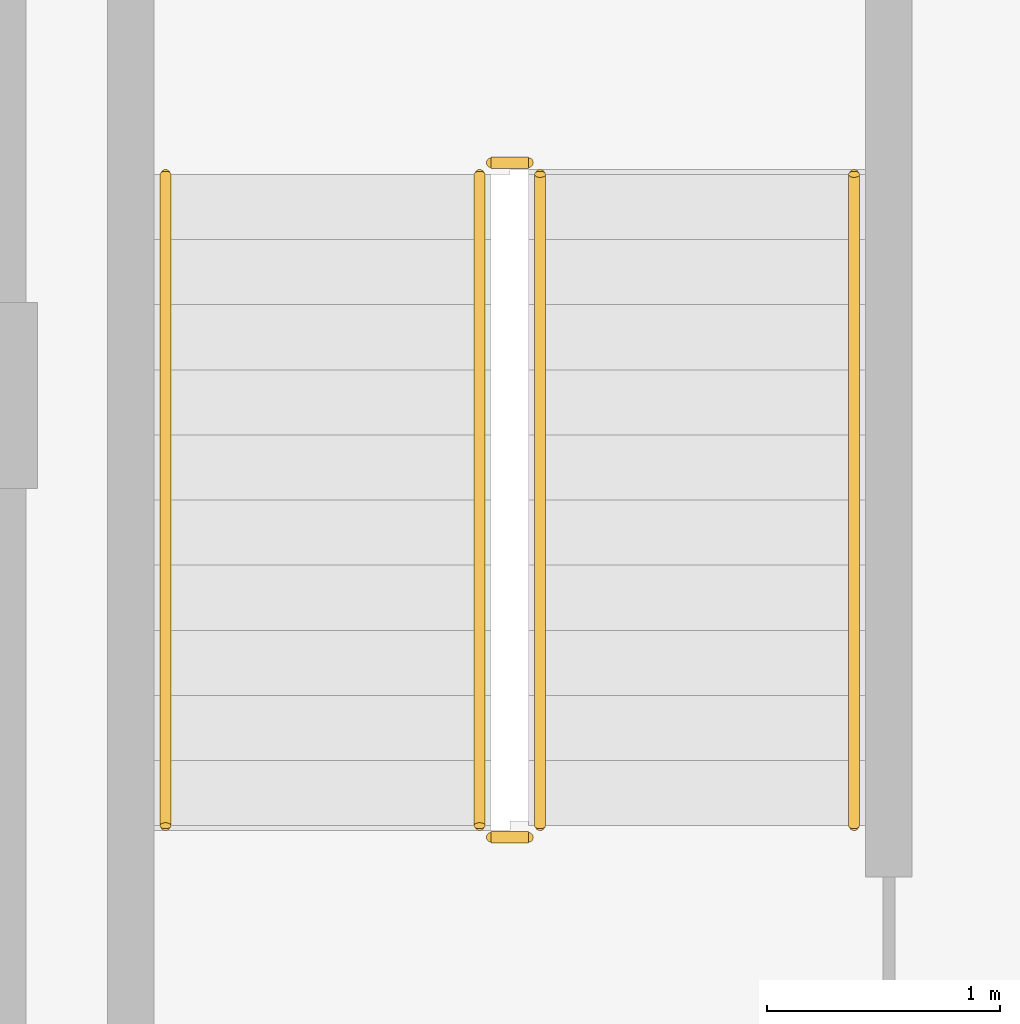
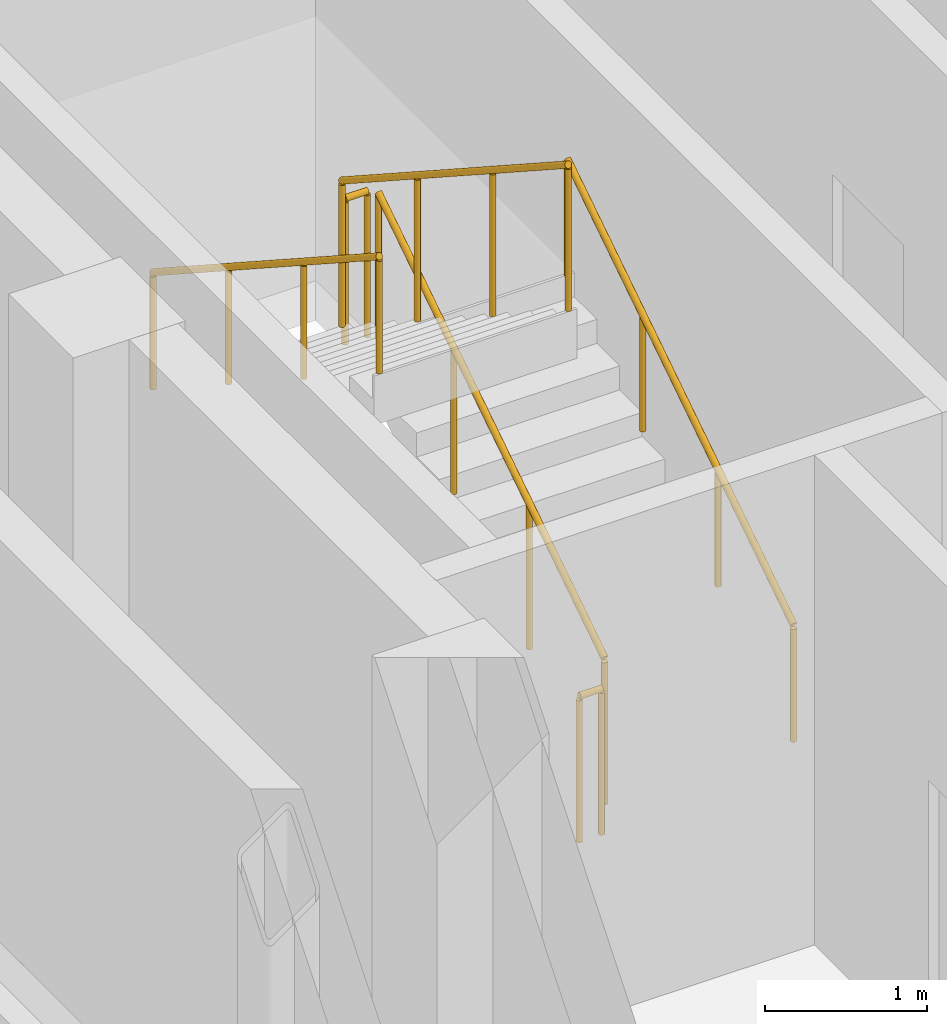
# One storey, part 8 of 10: 6 railings.
"""IFC4 building model written with IfcOpenShell, lengths in metres."""

from ifc_helpers import new_model, si_unit, direction, frame, origin, origin_2d, place, context, subcontext, project, spatial, circle, extrude, material, type_object, element, save


model = new_model("IFC4")

# Units and contexts
model_context = context("Model", 3, precision=1e-05, world=origin(), true_north=direction((0.0, 1.0)))
body_context = subcontext(model_context, "Body", "Model", "MODEL_VIEW")
ifc_project = project(units=[si_unit("LENGTHUNIT", "METRE"), si_unit("AREAUNIT", "SQUARE_METRE"), si_unit("VOLUMEUNIT", "CUBIC_METRE"), si_unit("PLANEANGLEUNIT", "RADIAN"), si_unit("MASSUNIT", "GRAM", prefix="KILO")], contexts=[model_context])

# Site, building, storey
site_placement = place(None, origin())
site = spatial("IfcSite", under=ifc_project, at=site_placement, CompositionType="ELEMENT")
building_placement = place(site_placement, origin())
building = spatial("IfcBuilding", under=site, at=building_placement, Name="Nuvemarco Arch Tower", CompositionType="ELEMENT")
storey_placement = place(building_placement, frame((0.0, 0.0, 299.14990234375)))
storey = spatial("IfcBuildingStorey", under=building, at=storey_placement, Name="L79", CompositionType="ELEMENT", Elevation=299.14990234375)

# Railings
ifc_material_1 = material(Name="Brushed stainless steel handrail", Category="steel")
railing_type_1 = type_object("IfcRailingType", Name="RL-HANDRAIL-900", PredefinedType="HANDRAIL", material=ifc_material_1)
railing_1_placement = place(storey_placement, frame((-13.590087890625, 2.64990234375, 0.181884765625)))
element("IfcRailing", 1, at=railing_1_placement, inside=storey, type_object=railing_type_1, Name="L79 ST-1 stair handrail 1", PredefinedType="HANDRAIL", context=body_context, shape_type="SweptSolid", body=[
    extrude(circle(Radius=0.02392578125, at=origin_2d()), frame((0.0, 0.0, 0.8759765625), z_axis=(0.0, 0.838705829183, 0.544584733623), x_axis=(-1.0, 0.0, 0.0)), (0.0, 0.0, 1.0), 3.338623046875),
    extrude(circle(Radius=0.02099609375, at=origin_2d()), origin(), (0.0, 0.0, 1.0), 0.851806640625),
    extrude(circle(Radius=0.02099609375, at=origin_2d()), frame((0.0, 0.933349609375, 0.60595703125)), (0.0, 0.0, 1.0), 0.851806640625),
    extrude(circle(Radius=0.02099609375, at=origin_2d()), frame((0.0, 1.86669921875, 1.212158203125)), (0.0, 0.0, 1.0), 0.851806640625),
    extrude(circle(Radius=0.02099609375, at=origin_2d()), frame((0.0, 2.800048828125, 1.818115234375)), (0.0, 0.0, 1.0), 0.851806640625),
])
railing_2_placement = place(storey_placement, frame((-16.550048828125, 5.449951171875, 2.181884765625)))
element("IfcRailing", 2, at=railing_2_placement, inside=storey, type_object=railing_type_1, Name="L79 ST-1 stair handrail 2", PredefinedType="HANDRAIL", context=body_context, shape_type="SweptSolid", body=[
    extrude(circle(Radius=0.02392578125, at=origin_2d()), frame((0.0, 0.0, 0.8759765625), z_axis=(0.0, -0.838705829183, 0.544584733623), x_axis=(1.0, 0.0, 0.0)), (0.0, 0.0, 1.0), 3.338623046875),
    extrude(circle(Radius=0.02099609375, at=origin_2d()), origin(), (0.0, 0.0, 1.0), 0.851806640625),
    extrude(circle(Radius=0.02099609375, at=origin_2d()), frame((0.0, -0.933349609375, 0.60595703125)), (0.0, 0.0, 1.0), 0.851806640625),
    extrude(circle(Radius=0.02099609375, at=origin_2d()), frame((0.0, -1.86669921875, 1.212158203125)), (0.0, 0.0, 1.0), 0.851806640625),
    extrude(circle(Radius=0.02099609375, at=origin_2d()), frame((0.0, -2.800048828125, 1.818115234375)), (0.0, 0.0, 1.0), 0.851806640625),
])
ifc_material_2 = material(Name="Painted balustrade steel S355", Category="steel")
railing_type_2 = type_object("IfcRailingType", Name="RL-STAIR-GUARD", PredefinedType="GUARDRAIL", material=ifc_material_2)
railing_3_placement = place(storey_placement, frame((-14.93994140625, 2.64990234375, 0.181884765625)))
element("IfcRailing", 3, at=railing_3_placement, inside=storey, type_object=railing_type_2, Name="L79 ST-1 stair guard 1", PredefinedType="GUARDRAIL", context=body_context, shape_type="SweptSolid", body=[
    extrude(circle(Radius=0.02392578125, at=origin_2d()), frame((0.0, 0.0, 1.09619140625), z_axis=(0.0, 0.838705829183, 0.544584733623), x_axis=(-1.0, 0.0, 0.0)), (0.0, 0.0, 1.0), 3.338623046875),
    extrude(circle(Radius=0.02099609375, at=origin_2d()), origin(), (0.0, 0.0, 1.0), 1.072021484375),
    extrude(circle(Radius=0.02099609375, at=origin_2d()), frame((0.0, 0.933349609375, 0.60595703125)), (0.0, 0.0, 1.0), 1.072021484375),
    extrude(circle(Radius=0.02099609375, at=origin_2d()), frame((0.0, 1.86669921875, 1.212158203125)), (0.0, 0.0, 1.0), 1.072021484375),
    extrude(circle(Radius=0.02099609375, at=origin_2d()), frame((0.0, 2.800048828125, 1.818115234375)), (0.0, 0.0, 1.0), 1.072021484375),
])
railing_4_placement = place(storey_placement, frame((-14.989990234375, 5.5, 2.0)))
element("IfcRailing", 4, at=railing_4_placement, inside=storey, type_object=railing_type_2, Name="L79 ST-1 stair guard 2", PredefinedType="GUARDRAIL", context=body_context, shape_type="SweptSolid", body=[
    extrude(circle(Radius=0.02392578125, at=origin_2d()), frame((0.0, 0.0, 1.09619140625), z_axis=(-1.0, 0.0, 0.0), x_axis=(0.0, -1.0, 0.0)), (0.0, 0.0, 1.0), 0.159912109375),
    extrude(circle(Radius=0.02099609375, at=origin_2d()), origin(), (0.0, 0.0, 1.0), 1.072021484375),
    extrude(circle(Radius=0.02099609375, at=origin_2d()), frame((-0.159912109375, 0.0, 0.0)), (0.0, 0.0, 1.0), 1.072021484375),
])
railing_5_placement = place(storey_placement, frame((-15.199951171875, 5.449951171875, 2.181884765625)))
element("IfcRailing", 5, at=railing_5_placement, inside=storey, type_object=railing_type_2, Name="L79 ST-1 stair guard 3", PredefinedType="GUARDRAIL", context=body_context, shape_type="SweptSolid", body=[
    extrude(circle(Radius=0.02392578125, at=origin_2d()), frame((0.0, 0.0, 1.09619140625), z_axis=(0.0, -0.838705829183, 0.544584733623), x_axis=(1.0, 0.0, 0.0)), (0.0, 0.0, 1.0), 3.338623046875),
    extrude(circle(Radius=0.02099609375, at=origin_2d()), origin(), (0.0, 0.0, 1.0), 1.072021484375),
    extrude(circle(Radius=0.02099609375, at=origin_2d()), frame((0.0, -0.933349609375, 0.60595703125)), (0.0, 0.0, 1.0), 1.072021484375),
    extrude(circle(Radius=0.02099609375, at=origin_2d()), frame((0.0, -1.86669921875, 1.212158203125)), (0.0, 0.0, 1.0), 1.072021484375),
    extrude(circle(Radius=0.02099609375, at=origin_2d()), frame((0.0, -2.800048828125, 1.818115234375)), (0.0, 0.0, 1.0), 1.072021484375),
])
railing_6_placement = place(storey_placement, frame((-14.989990234375, 2.60009765625, 0.0)))
element("IfcRailing", 6, at=railing_6_placement, inside=storey, type_object=railing_type_2, Name="L79 ST-1 stair guard 4", PredefinedType="GUARDRAIL", context=body_context, shape_type="SweptSolid", body=[
    extrude(circle(Radius=0.02392578125, at=origin_2d()), frame((0.0, 0.0, 1.09619140625), z_axis=(-1.0, 0.0, 0.0), x_axis=(0.0, -1.0, 0.0)), (0.0, 0.0, 1.0), 0.159912109375),
    extrude(circle(Radius=0.02099609375, at=origin_2d()), origin(), (0.0, 0.0, 1.0), 1.072021484375),
    extrude(circle(Radius=0.02099609375, at=origin_2d()), frame((-0.159912109375, 0.0, 0.0)), (0.0, 0.0, 1.0), 1.072021484375),
])

save(model, "model.ifc")
